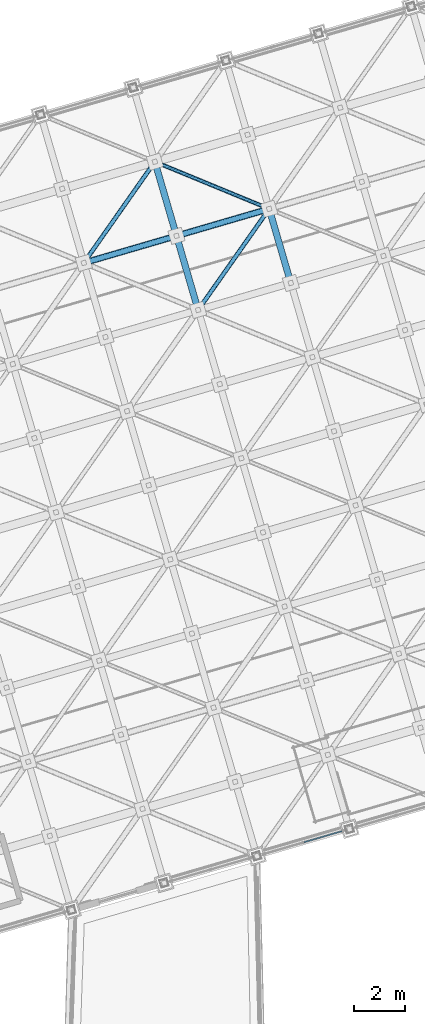
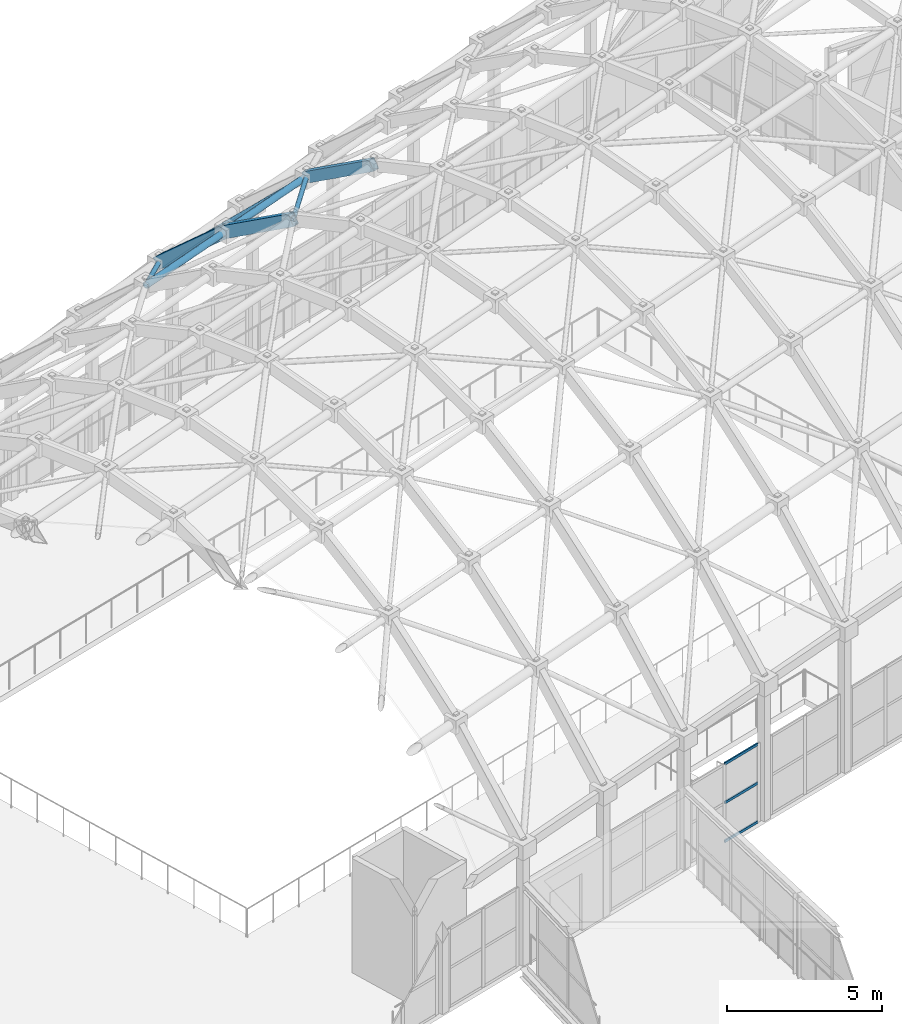
# One storey, part 59 of 248: 8 members, 3 beams, 1 element without a shape of its own.
"""IFC4 building model written with IfcOpenShell, lengths in metres."""

from ifc_helpers import new_model, si_unit, direction, frame, origin, origin_2d, place, context, subcontext, project, spatial, hollow_rectangle, hollow_circle, extrude, material, layer, layer_set, material_profile, profile_set, type_object, element, aggregate, save


model = new_model("IFC4")

# Units and contexts
model_context = context("Model", 3, precision=1e-05, world=origin(), true_north=direction((0.0, 1.0)))
body_context = subcontext(model_context, "Body", "Model", "MODEL_VIEW")
ifc_project = project(units=[si_unit("LENGTHUNIT", "METRE"), si_unit("AREAUNIT", "SQUARE_METRE"), si_unit("VOLUMEUNIT", "CUBIC_METRE"), si_unit("PLANEANGLEUNIT", "RADIAN"), si_unit("MASSUNIT", "GRAM", prefix="KILO")], contexts=[model_context])

# Site, building, storey
site_placement = place(None, origin())
site = spatial("IfcSite", under=ifc_project, at=site_placement, CompositionType="ELEMENT")
building_placement = place(site_placement, origin())
building = spatial("IfcBuilding", under=site, at=building_placement, Name="Canggui Botanical Conservatory", CompositionType="ELEMENT")
storey_placement = place(building_placement, frame((0.0, 0.0, 5.39990234375)))
storey = spatial("IfcBuildingStorey", under=building, at=storey_placement, Name="L02", CompositionType="ELEMENT", Elevation=5.39990234375)

# Beams
ifc_material_1 = material(Name="Steel Q355C", Category="steel")
ifc_material_profile_1 = material_profile(ifc_material_1, hollow_rectangle(XDim=0.25, YDim=0.449951171875, WallThickness=0.013916015625, at=origin_2d()), Name="RHS 250x450x14")
ifc_profile_set_1 = profile_set([ifc_material_profile_1], Name="Steel Q355C")
beam_type_1 = type_object("IfcBeamType", Name="BM-GJ02", PredefinedType="BEAM", material=ifc_profile_set_1)
beam_1_placement = place(storey_placement, frame((39.320068359375, 69.510009765625, 13.4140625), z_axis=(-0.235868359053, 0.808574008543, -0.539049339028), x_axis=(-0.959989061447, -0.280037500885, 0.0)))
element("IfcBeam", 1, at=beam_1_placement, inside=storey, type_object=beam_type_1, Name="Conservatory Stepped-Arch Rib GJ-08 Segment 8", PredefinedType="BEAM", context=body_context, shape_type="SweptSolid", body=[
    extrude(hollow_rectangle(XDim=0.25, YDim=0.449951171875, WallThickness=0.013916015625, at=origin_2d()), origin(), (0.0, 0.0, 1.0), 3.561767578125),
])
beam_2_placement = place(storey_placement, frame((38.47998046875, 72.389892578125, 11.494140625), z_axis=(-0.208553195479, 0.714996235706, -0.66729749556), x_axis=(-0.959995442804, -0.2800156242, 0.0)))
element("IfcBeam", 2, at=beam_2_placement, inside=storey, type_object=beam_type_1, Name="Conservatory Stepped-Arch Rib GJ-08 Segment 9", PredefinedType="BEAM", context=body_context, shape_type="SweptSolid", body=[
    extrude(hollow_rectangle(XDim=0.25, YDim=0.449951171875, WallThickness=0.013916015625, at=origin_2d()), origin(), (0.0, 0.0, 1.0), 4.028076171875),
])
ifc_material_profile_2 = material_profile(ifc_material_1, hollow_rectangle(XDim=0.25, YDim=0.39990234375, WallThickness=0.013916015625, at=origin_2d()), Name="RHS 250x400x14")
ifc_profile_set_2 = profile_set([ifc_material_profile_2], Name="Steel Q355C")
beam_type_2 = type_object("IfcBeamType", Name="BM-GJ03", PredefinedType="BEAM", material=ifc_profile_set_2)
beam_3_placement = place(storey_placement, frame((42.919921875, 70.56005859375, 13.6640625), z_axis=(-0.235803624532, 0.808587079936, -0.539058053291), x_axis=(-0.960010937337, -0.279962497833, 0.0)))
element("IfcBeam", 3, at=beam_3_placement, inside=storey, type_object=beam_type_2, Name="Conservatory Stepped-Arch Rib GJ-09 Segment 8", PredefinedType="BEAM", context=body_context, shape_type="SweptSolid", body=[
    extrude(hollow_rectangle(XDim=0.25, YDim=0.39990234375, WallThickness=0.013916015625, at=origin_2d()), origin(), (0.0, 0.0, 1.0), 3.5615234375),
])

# Curtain wall, members
ifc_material_2 = material(Name="Thermally Broken Aluminium", Category="aluminium")
ifc_layer = layer(ifc_material_2, 0.135009765625, Name="Thermally Broken Aluminium", Category="aluminium")
ifc_layer_set = layer_set([ifc_layer], Name="Thermally Broken Aluminium")
curtain_wall_type = type_object("IfcCurtainWallType", Name="CW-STICK-A", PredefinedType="USERDEFINED", material=ifc_layer_set)
curtain_wall_placement = place(storey_placement, origin())
curtain_wall = element("IfcCurtainWall", 4, at=curtain_wall_placement, inside=storey, type_object=curtain_wall_type, Name="Facade Curtain Wall CW-CONS-L02-V0-07", ObjectType="STICK GLAZED WALL", PredefinedType="USERDEFINED")
ifc_material_profile_3 = material_profile(ifc_material_2, hollow_rectangle(XDim=0.050048828125, YDim=0.10009765625, WallThickness=0.0029296875, at=origin_2d()), Name="CWT 50x100x3")
ifc_profile_set_3 = profile_set([ifc_material_profile_3], Name="Thermally Broken Aluminium")
member_type_1 = type_object("IfcMemberType", Name="CWT-04", PredefinedType="USERDEFINED", material=ifc_profile_set_3)
member_1_placement = place(storey_placement, frame((44.90234375, 49.26318359375, 0.025146484375), z_axis=(-0.960021373424, -0.279926709282, 0.0), x_axis=(0.279926709282, -0.960021373424, 0.0)))
member_1 = element("IfcMember", 5, at=member_1_placement, type_object=member_type_1, Name="CW-04 transom 1.1", ObjectType="TRANSOM", PredefinedType="USERDEFINED", context=body_context, shape_type="SweptSolid", body=[
    extrude(hollow_rectangle(XDim=0.050048828125, YDim=0.10009765625, WallThickness=0.0029296875, at=origin_2d()), origin(), (0.0, 0.0, 1.0), 1.534912109375),
])
member_2_placement = place(storey_placement, frame((44.90234375, 49.26318359375, 1.550048828125), z_axis=(-0.960021373424, -0.279926709282, 0.0), x_axis=(0.279926709282, -0.960021373424, 0.0)))
member_2 = element("IfcMember", 6, at=member_2_placement, type_object=member_type_1, Name="CW-04 transom 1.2", ObjectType="TRANSOM", PredefinedType="USERDEFINED", context=body_context, shape_type="SweptSolid", body=[
    extrude(hollow_rectangle(XDim=0.050048828125, YDim=0.10009765625, WallThickness=0.0029296875, at=origin_2d()), origin(), (0.0, 0.0, 1.0), 1.534912109375),
])
member_3_placement = place(storey_placement, frame((44.90234375, 49.26318359375, 3.0751953125), z_axis=(-0.960021373424, -0.279926709282, 0.0), x_axis=(0.279926709282, -0.960021373424, 0.0)))
member_3 = element("IfcMember", 7, at=member_3_placement, type_object=member_type_1, Name="CW-04 transom 1.3", ObjectType="TRANSOM", PredefinedType="USERDEFINED", context=body_context, shape_type="SweptSolid", body=[
    extrude(hollow_rectangle(XDim=0.050048828125, YDim=0.10009765625, WallThickness=0.0029296875, at=origin_2d()), origin(), (0.0, 0.0, 1.0), 1.534912109375),
])
aggregate(curtain_wall, [member_1, member_2, member_3])

# Members
ifc_material_profile_4 = material_profile(ifc_material_1, hollow_circle(Radius=0.12255859375, WallThickness=0.010009765625, at=origin_2d()), Name="CHS 245x10")
ifc_profile_set_4 = profile_set([ifc_material_profile_4], Name="Steel Q355C")
member_type_2 = type_object("IfcMemberType", Name="MEM-GSC04", PredefinedType="CHORD", material=ifc_profile_set_4)
member_4_placement = place(storey_placement, frame((34.8798828125, 71.340087890625, 11.244140625), z_axis=(0.957889800097, 0.279324979006, 0.066518320582), x_axis=(-0.279945000113, 0.960016039924, 0.0)))
element("IfcMember", 8, at=member_4_placement, inside=storey, type_object=member_type_2, Name="Conservatory Gridshell Longitudinal Chord 7-8", PredefinedType="CHORD", context=body_context, shape_type="SweptSolid", body=[
    extrude(hollow_circle(Radius=0.12255859375, WallThickness=0.010009765625, at=origin_2d()), origin(), (0.0, 0.0, 1.0), 3.75830078125),
])
member_5_placement = place(storey_placement, frame((38.47998046875, 72.389892578125, 11.494140625), z_axis=(0.957872417874, 0.27938486839, 0.066517113516), x_axis=(-0.280004999853, 0.959998541695, 0.0)))
element("IfcMember", 9, at=member_5_placement, inside=storey, type_object=member_type_2, Name="Conservatory Gridshell Longitudinal Chord 8-8", PredefinedType="CHORD", context=body_context, shape_type="SweptSolid", body=[
    extrude(hollow_circle(Radius=0.12255859375, WallThickness=0.010009765625, at=origin_2d()), origin(), (0.0, 0.0, 1.0), 3.758544921875),
])
ifc_material_profile_5 = material_profile(ifc_material_1, hollow_circle(Radius=0.083984375, WallThickness=0.008056640625, at=origin_2d()), Name="CHS 168x8")
ifc_profile_set_5 = profile_set([ifc_material_profile_5], Name="Steel Q355C")
member_type_3 = type_object("IfcMemberType", Name="MEM-GSD03", PredefinedType="RAFTER", material=ifc_profile_set_5)
member_6_placement = place(storey_placement, frame((34.8798828125, 71.340087890625, 11.244140625), z_axis=(0.512469671775, 0.72969697537, -0.452677765798), x_axis=(-0.818344854073, 0.574727500484, 0.0)))
element("IfcMember", 10, at=member_6_placement, inside=storey, type_object=member_type_3, Name="Conservatory Gridshell Diagrid Rafter 7-9", PredefinedType="RAFTER", context=body_context, shape_type="SweptSolid", body=[
    extrude(hollow_circle(Radius=0.083984375, WallThickness=0.008056640625, at=origin_2d()), origin(), (0.0, 0.0, 1.0), 5.3857421875),
])
member_7_placement = place(storey_placement, frame((39.320068359375, 69.510009765625, 13.4140625), z_axis=(0.542843744059, 0.77294610775, -0.328443273716), x_axis=(-0.818344854073, 0.574727500484, 0.0)))
element("IfcMember", 11, at=member_7_placement, inside=storey, type_object=member_type_3, Name="Conservatory Gridshell Diagrid Rafter 8-8", PredefinedType="RAFTER", context=body_context, shape_type="SweptSolid", body=[
    extrude(hollow_circle(Radius=0.083984375, WallThickness=0.008056640625, at=origin_2d()), origin(), (0.0, 0.0, 1.0), 5.08447265625),
])
ifc_material_profile_6 = material_profile(ifc_material_1, hollow_circle(Radius=0.075927734375, WallThickness=0.006103515625, at=origin_2d()), Name="CHS 152x6")
ifc_profile_set_6 = profile_set([ifc_material_profile_6], Name="Steel Q355C")
member_type_4 = type_object("IfcMemberType", Name="MEM-GSD04", PredefinedType="RAFTER", material=ifc_profile_set_6)
member_8_placement = place(storey_placement, frame((37.639892578125, 75.27001953125, 8.80615234375), z_axis=(0.788673883122, -0.325061825913, 0.521850855528), x_axis=(0.381064272615, 0.924548549367, 0.0)))
element("IfcMember", 12, at=member_8_placement, inside=storey, type_object=member_type_4, Name="Conservatory Gridshell Diagrid Rafter 8-9", PredefinedType="RAFTER", context=body_context, shape_type="SweptSolid", body=[
    extrude(hollow_circle(Radius=0.075927734375, WallThickness=0.006103515625, at=origin_2d()), origin(), (0.0, 0.0, 1.0), 5.6298828125),
])

save(model, "model.ifc")
